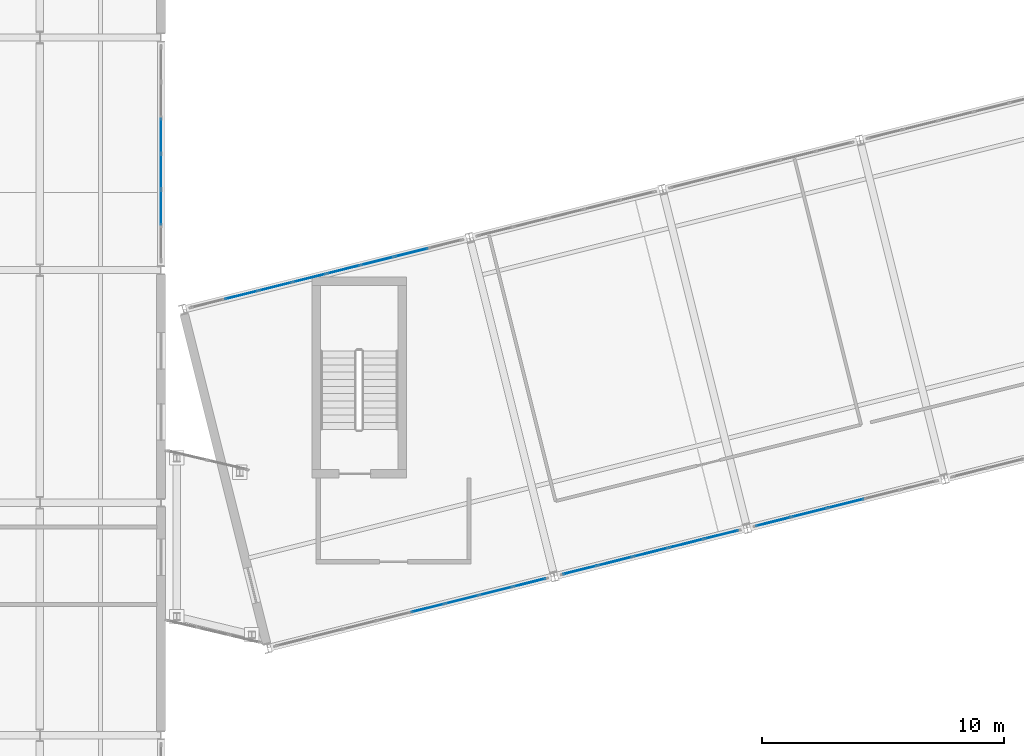
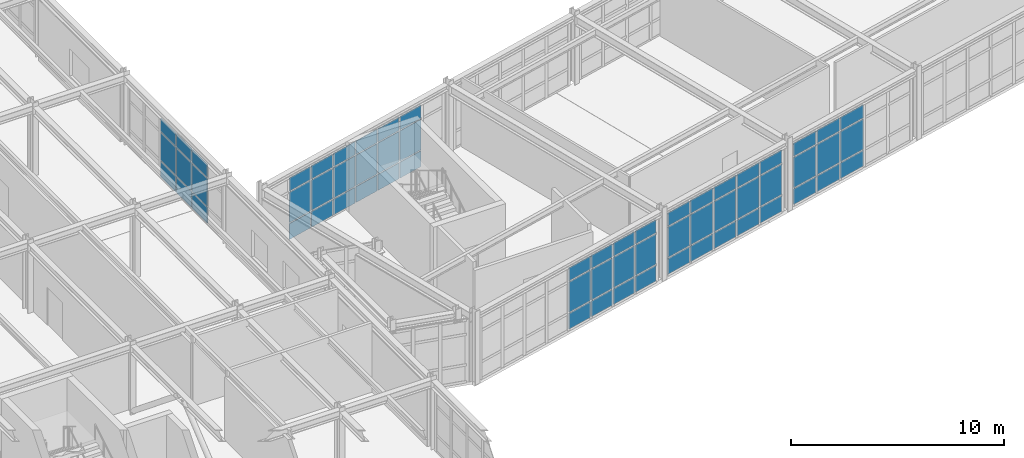
# One storey, part 46 of 76: 63 plates, 5 elements without a shape of their own.
"""IFC4 building model written with IfcOpenShell, lengths in metres."""

from ifc_helpers import new_model, si_unit, direction, frame, origin, origin_2d, place, context, subcontext, project, spatial, rectangle, extrude, material, layer, layer_set, type_object, element, aggregate, save


model = new_model("IFC4")

# Units and contexts
model_context = context("Model", 3, precision=1e-05, world=origin(), true_north=direction((0.0, 1.0)))
body_context = subcontext(model_context, "Body", "Model", "MODEL_VIEW")
ifc_project = project(units=[si_unit("LENGTHUNIT", "METRE"), si_unit("AREAUNIT", "SQUARE_METRE"), si_unit("VOLUMEUNIT", "CUBIC_METRE"), si_unit("PLANEANGLEUNIT", "RADIAN"), si_unit("MASSUNIT", "GRAM", prefix="KILO")], contexts=[model_context])

# Site, building, storey
site_placement = place(None, origin())
site = spatial("IfcSite", under=ifc_project, at=site_placement, CompositionType="ELEMENT")
building_placement = place(site_placement, origin())
building = spatial("IfcBuilding", under=site, at=building_placement, Name="Nordkorset Police Headquarters", CompositionType="ELEMENT")
storey_placement = place(building_placement, frame((0.0, 0.0, 13.64990234375)))
storey = spatial("IfcBuildingStorey", under=building, at=storey_placement, Name="L03", CompositionType="ELEMENT", Elevation=13.64990234375)

# Curtain wall, plates
ifc_material_1 = material(Name="Aluminium alloy AW-6060", Category="aluminium")
ifc_layer_1 = layer(ifc_material_1, 0.179931640625, Name="Aluminium alloy AW-6060")
ifc_layer_set_1 = layer_set([ifc_layer_1], Name="Aluminium alloy AW-6060")
curtain_wall_type_1 = type_object("IfcCurtainWallType", Name="CW_Unit_888x350", PredefinedType="USERDEFINED", material=ifc_layer_set_1)
curtain_wall_1_placement = place(storey_placement, origin())
curtain_wall_1 = element("IfcCurtainWall", 1, at=curtain_wall_1_placement, inside=storey, type_object=curtain_wall_type_1, Name="Unitised Curtain Wall L03 V3E-3", ObjectType="UNITISED CURTAIN WALL", PredefinedType="USERDEFINED")
ifc_material_2 = material(Name="Low-iron triple glazing", Category="glass")
ifc_layer_2 = layer(ifc_material_2, 0.035888671875, Name="Low-iron triple glazing")
ifc_layer_set_2 = layer_set([ifc_layer_2], Name="Low-iron triple glazing")
plate_type = type_object("IfcPlateType", Name="CW_Panel_TripleGlazing_36", PredefinedType="CURTAIN_PANEL", material=ifc_layer_set_2)
plate_1_placement = place(storey_placement, frame((19.199951171875, 60.179931640625, 0.06494140625), z_axis=(0.0, 0.0, 1.0), x_axis=(0.0, 1.0, 0.0)))
plate_1 = element("IfcPlate", 2, at=plate_1_placement, type_object=plate_type, Name="CW-95 panel 2.1", PredefinedType="CURTAIN_PANEL", context=body_context, shape_type="SweptSolid", body=[
    extrude(rectangle(XDim=1.4150390625, YDim=0.035888671875, at=origin_2d()), origin(), (0.0, 0.0, 1.0), 0.902587890625),
])
plate_2_placement = place(storey_placement, frame((19.199951171875, 60.179931640625, 1.03271484375), z_axis=(0.0, 0.0, 1.0), x_axis=(0.0, 1.0, 0.0)))
plate_2 = element("IfcPlate", 3, at=plate_2_placement, type_object=plate_type, Name="CW-95 panel 2.2", PredefinedType="CURTAIN_PANEL", context=body_context, shape_type="SweptSolid", body=[
    extrude(rectangle(XDim=1.4150390625, YDim=0.035888671875, at=origin_2d()), origin(), (0.0, 0.0, 1.0), 1.590087890625),
])
plate_3_placement = place(storey_placement, frame((19.199951171875, 60.179931640625, 2.687744140625), z_axis=(0.0, 0.0, 1.0), x_axis=(0.0, 1.0, 0.0)))
plate_3 = element("IfcPlate", 4, at=plate_3_placement, type_object=plate_type, Name="CW-95 panel 2.3", PredefinedType="CURTAIN_PANEL", context=body_context, shape_type="SweptSolid", body=[
    extrude(rectangle(XDim=1.4150390625, YDim=0.035888671875, at=origin_2d()), origin(), (0.0, 0.0, 1.0), 0.75244140625),
])
plate_4_placement = place(storey_placement, frame((19.199951171875, 61.659912109375, 0.06494140625), z_axis=(0.0, 0.0, 1.0), x_axis=(0.0, 1.0, 0.0)))
plate_4 = element("IfcPlate", 5, at=plate_4_placement, type_object=plate_type, Name="CW-95 panel 3.1", PredefinedType="CURTAIN_PANEL", context=body_context, shape_type="SweptSolid", body=[
    extrude(rectangle(XDim=1.4150390625, YDim=0.035888671875, at=origin_2d()), origin(), (0.0, 0.0, 1.0), 0.902587890625),
])
plate_5_placement = place(storey_placement, frame((19.199951171875, 61.659912109375, 1.03271484375), z_axis=(0.0, 0.0, 1.0), x_axis=(0.0, 1.0, 0.0)))
plate_5 = element("IfcPlate", 6, at=plate_5_placement, type_object=plate_type, Name="CW-95 panel 3.2", PredefinedType="CURTAIN_PANEL", context=body_context, shape_type="SweptSolid", body=[
    extrude(rectangle(XDim=1.4150390625, YDim=0.035888671875, at=origin_2d()), origin(), (0.0, 0.0, 1.0), 1.590087890625),
])
plate_6_placement = place(storey_placement, frame((19.199951171875, 61.659912109375, 2.687744140625), z_axis=(0.0, 0.0, 1.0), x_axis=(0.0, 1.0, 0.0)))
plate_6 = element("IfcPlate", 7, at=plate_6_placement, type_object=plate_type, Name="CW-95 panel 3.3", PredefinedType="CURTAIN_PANEL", context=body_context, shape_type="SweptSolid", body=[
    extrude(rectangle(XDim=1.4150390625, YDim=0.035888671875, at=origin_2d()), origin(), (0.0, 0.0, 1.0), 0.75244140625),
])
plate_7_placement = place(storey_placement, frame((19.199951171875, 63.139892578125, 0.06494140625), z_axis=(0.0, 0.0, 1.0), x_axis=(0.0, 1.0, 0.0)))
plate_7 = element("IfcPlate", 8, at=plate_7_placement, type_object=plate_type, Name="CW-95 panel 4.1", PredefinedType="CURTAIN_PANEL", context=body_context, shape_type="SweptSolid", body=[
    extrude(rectangle(XDim=1.4150390625, YDim=0.035888671875, at=origin_2d()), origin(), (0.0, 0.0, 1.0), 0.902587890625),
])
plate_8_placement = place(storey_placement, frame((19.199951171875, 63.139892578125, 1.03271484375), z_axis=(0.0, 0.0, 1.0), x_axis=(0.0, 1.0, 0.0)))
plate_8 = element("IfcPlate", 9, at=plate_8_placement, type_object=plate_type, Name="CW-95 panel 4.2", PredefinedType="CURTAIN_PANEL", context=body_context, shape_type="SweptSolid", body=[
    extrude(rectangle(XDim=1.4150390625, YDim=0.035888671875, at=origin_2d()), origin(), (0.0, 0.0, 1.0), 1.590087890625),
])
plate_9_placement = place(storey_placement, frame((19.199951171875, 63.139892578125, 2.687744140625), z_axis=(0.0, 0.0, 1.0), x_axis=(0.0, 1.0, 0.0)))
plate_9 = element("IfcPlate", 10, at=plate_9_placement, type_object=plate_type, Name="CW-95 panel 4.3", PredefinedType="CURTAIN_PANEL", context=body_context, shape_type="SweptSolid", body=[
    extrude(rectangle(XDim=1.4150390625, YDim=0.035888671875, at=origin_2d()), origin(), (0.0, 0.0, 1.0), 0.75244140625),
])
aggregate(curtain_wall_1, [plate_1, plate_2, plate_3, plate_4, plate_5, plate_6, plate_7, plate_8, plate_9])

ifc_material_3 = material(Name="Aluminium alloy AW-6060", Category="aluminium")
ifc_layer_3 = layer(ifc_material_3, 0.179931640625, Name="Aluminium alloy AW-6060")
ifc_layer_set_3 = layer_set([ifc_layer_3], Name="Aluminium alloy AW-6060")
curtain_wall_type_2 = type_object("IfcCurtainWallType", Name="CW_Unit_1156x365", PredefinedType="USERDEFINED", material=ifc_layer_set_3)
curtain_wall_2_placement = place(storey_placement, origin())
curtain_wall_2 = element("IfcCurtainWall", 11, at=curtain_wall_2_placement, inside=storey, type_object=curtain_wall_type_2, Name="Unitised Curtain Wall L03 V4S-0", ObjectType="UNITISED CURTAIN WALL", PredefinedType="USERDEFINED")
plate_10_placement = place(storey_placement, frame((30.21875, 43.65478515625, 0.06494140625), z_axis=(0.0, 0.0, 1.0), x_axis=(0.970142500145, 0.242535625038, 0.0)))
plate_10 = element("IfcPlate", 12, at=plate_10_placement, type_object=plate_type, Name="CW-38 panel 5.1", PredefinedType="CURTAIN_PANEL", context=body_context, shape_type="SweptSolid", body=[
    extrude(rectangle(XDim=1.3798828125, YDim=0.035888671875, at=origin_2d()), origin(), (0.0, 0.0, 1.0), 0.902587890625),
])
plate_11_placement = place(storey_placement, frame((30.21875, 43.65478515625, 1.03271484375), z_axis=(0.0, 0.0, 1.0), x_axis=(0.970142500145, 0.242535625038, 0.0)))
plate_11 = element("IfcPlate", 13, at=plate_11_placement, type_object=plate_type, Name="CW-38 panel 5.2", PredefinedType="CURTAIN_PANEL", context=body_context, shape_type="SweptSolid", body=[
    extrude(rectangle(XDim=1.3798828125, YDim=0.035888671875, at=origin_2d()), origin(), (0.0, 0.0, 1.0), 1.735107421875),
])
plate_12_placement = place(storey_placement, frame((30.21875, 43.65478515625, 2.83251953125), z_axis=(0.0, 0.0, 1.0), x_axis=(0.970142500145, 0.242535625038, 0.0)))
plate_12 = element("IfcPlate", 14, at=plate_12_placement, type_object=plate_type, Name="CW-38 panel 5.3", PredefinedType="CURTAIN_PANEL", context=body_context, shape_type="SweptSolid", body=[
    extrude(rectangle(XDim=1.3798828125, YDim=0.035888671875, at=origin_2d()), origin(), (0.0, 0.0, 1.0), 0.75244140625),
])
plate_13_placement = place(storey_placement, frame((31.62060546875, 44.005126953125, 0.06494140625), z_axis=(0.0, 0.0, 1.0), x_axis=(0.970142500145, 0.242535625038, 0.0)))
plate_13 = element("IfcPlate", 15, at=plate_13_placement, type_object=plate_type, Name="CW-38 panel 6.1", PredefinedType="CURTAIN_PANEL", context=body_context, shape_type="SweptSolid", body=[
    extrude(rectangle(XDim=1.3798828125, YDim=0.035888671875, at=origin_2d()), origin(), (0.0, 0.0, 1.0), 0.902587890625),
])
plate_14_placement = place(storey_placement, frame((31.62060546875, 44.005126953125, 1.03271484375), z_axis=(0.0, 0.0, 1.0), x_axis=(0.970142500145, 0.242535625038, 0.0)))
plate_14 = element("IfcPlate", 16, at=plate_14_placement, type_object=plate_type, Name="CW-38 panel 6.2", PredefinedType="CURTAIN_PANEL", context=body_context, shape_type="SweptSolid", body=[
    extrude(rectangle(XDim=1.3798828125, YDim=0.035888671875, at=origin_2d()), origin(), (0.0, 0.0, 1.0), 1.735107421875),
])
plate_15_placement = place(storey_placement, frame((31.62060546875, 44.005126953125, 2.83251953125), z_axis=(0.0, 0.0, 1.0), x_axis=(0.970142500145, 0.242535625038, 0.0)))
plate_15 = element("IfcPlate", 17, at=plate_15_placement, type_object=plate_type, Name="CW-38 panel 6.3", PredefinedType="CURTAIN_PANEL", context=body_context, shape_type="SweptSolid", body=[
    extrude(rectangle(XDim=1.3798828125, YDim=0.035888671875, at=origin_2d()), origin(), (0.0, 0.0, 1.0), 0.75244140625),
])
plate_16_placement = place(storey_placement, frame((33.0224609375, 44.355712890625, 0.06494140625), z_axis=(0.0, 0.0, 1.0), x_axis=(0.970142500145, 0.242535625038, 0.0)))
plate_16 = element("IfcPlate", 18, at=plate_16_placement, type_object=plate_type, Name="CW-38 panel 7.1", PredefinedType="CURTAIN_PANEL", context=body_context, shape_type="SweptSolid", body=[
    extrude(rectangle(XDim=1.3798828125, YDim=0.035888671875, at=origin_2d()), origin(), (0.0, 0.0, 1.0), 0.902587890625),
])
plate_17_placement = place(storey_placement, frame((33.0224609375, 44.355712890625, 1.03271484375), z_axis=(0.0, 0.0, 1.0), x_axis=(0.970142500145, 0.242535625038, 0.0)))
plate_17 = element("IfcPlate", 19, at=plate_17_placement, type_object=plate_type, Name="CW-38 panel 7.2", PredefinedType="CURTAIN_PANEL", context=body_context, shape_type="SweptSolid", body=[
    extrude(rectangle(XDim=1.3798828125, YDim=0.035888671875, at=origin_2d()), origin(), (0.0, 0.0, 1.0), 1.735107421875),
])
plate_18_placement = place(storey_placement, frame((33.0224609375, 44.355712890625, 2.83251953125), z_axis=(0.0, 0.0, 1.0), x_axis=(0.970142500145, 0.242535625038, 0.0)))
plate_18 = element("IfcPlate", 20, at=plate_18_placement, type_object=plate_type, Name="CW-38 panel 7.3", PredefinedType="CURTAIN_PANEL", context=body_context, shape_type="SweptSolid", body=[
    extrude(rectangle(XDim=1.3798828125, YDim=0.035888671875, at=origin_2d()), origin(), (0.0, 0.0, 1.0), 0.75244140625),
])
plate_19_placement = place(storey_placement, frame((34.40869140625, 44.7021484375, 0.06494140625), z_axis=(0.0, 0.0, 1.0), x_axis=(0.970142500145, 0.242535625038, 0.0)))
plate_19 = element("IfcPlate", 21, at=plate_19_placement, type_object=plate_type, Name="CW-38 panel 8.1", PredefinedType="CURTAIN_PANEL", context=body_context, shape_type="SweptSolid", body=[
    extrude(rectangle(XDim=1.347412109375, YDim=0.035888671875, at=origin_2d()), origin(), (0.0, 0.0, 1.0), 0.902587890625),
])
plate_20_placement = place(storey_placement, frame((34.40869140625, 44.7021484375, 1.03271484375), z_axis=(0.0, 0.0, 1.0), x_axis=(0.970142500145, 0.242535625038, 0.0)))
plate_20 = element("IfcPlate", 22, at=plate_20_placement, type_object=plate_type, Name="CW-38 panel 8.2", PredefinedType="CURTAIN_PANEL", context=body_context, shape_type="SweptSolid", body=[
    extrude(rectangle(XDim=1.347412109375, YDim=0.035888671875, at=origin_2d()), origin(), (0.0, 0.0, 1.0), 1.735107421875),
])
plate_21_placement = place(storey_placement, frame((34.40869140625, 44.7021484375, 2.83251953125), z_axis=(0.0, 0.0, 1.0), x_axis=(0.970142500145, 0.242535625038, 0.0)))
plate_21 = element("IfcPlate", 23, at=plate_21_placement, type_object=plate_type, Name="CW-38 panel 8.3", PredefinedType="CURTAIN_PANEL", context=body_context, shape_type="SweptSolid", body=[
    extrude(rectangle(XDim=1.347412109375, YDim=0.035888671875, at=origin_2d()), origin(), (0.0, 0.0, 1.0), 0.75244140625),
])
aggregate(curtain_wall_2, [plate_10, plate_11, plate_12, plate_13, plate_14, plate_15, plate_16, plate_17, plate_18, plate_19, plate_20, plate_21])

curtain_wall_3_placement = place(storey_placement, origin())
curtain_wall_3 = element("IfcCurtainWall", 24, at=curtain_wall_3_placement, inside=storey, type_object=curtain_wall_type_2, Name="Unitised Curtain Wall L03 V4N-0", ObjectType="UNITISED CURTAIN WALL", PredefinedType="USERDEFINED")
plate_22_placement = place(storey_placement, frame((22.520751953125, 56.5732421875, 0.06494140625), z_axis=(0.0, 0.0, 1.0), x_axis=(0.970142347489, 0.242536235663, 0.0)))
plate_22 = element("IfcPlate", 25, at=plate_22_placement, type_object=plate_type, Name="CW-38 panel 2.1", PredefinedType="CURTAIN_PANEL", context=body_context, shape_type="SweptSolid", body=[
    extrude(rectangle(XDim=1.3798828125, YDim=0.035888671875, at=origin_2d()), origin(), (0.0, 0.0, 1.0), 0.902587890625),
])
plate_23_placement = place(storey_placement, frame((22.520751953125, 56.5732421875, 1.03271484375), z_axis=(0.0, 0.0, 1.0), x_axis=(0.970142347489, 0.242536235663, 0.0)))
plate_23 = element("IfcPlate", 26, at=plate_23_placement, type_object=plate_type, Name="CW-38 panel 2.2", PredefinedType="CURTAIN_PANEL", context=body_context, shape_type="SweptSolid", body=[
    extrude(rectangle(XDim=1.3798828125, YDim=0.035888671875, at=origin_2d()), origin(), (0.0, 0.0, 1.0), 1.735107421875),
])
plate_24_placement = place(storey_placement, frame((22.520751953125, 56.5732421875, 2.83251953125), z_axis=(0.0, 0.0, 1.0), x_axis=(0.970142347489, 0.242536235663, 0.0)))
plate_24 = element("IfcPlate", 27, at=plate_24_placement, type_object=plate_type, Name="CW-38 panel 2.3", PredefinedType="CURTAIN_PANEL", context=body_context, shape_type="SweptSolid", body=[
    extrude(rectangle(XDim=1.3798828125, YDim=0.035888671875, at=origin_2d()), origin(), (0.0, 0.0, 1.0), 0.75244140625),
])
plate_25_placement = place(storey_placement, frame((23.922607421875, 56.923828125, 0.06494140625), z_axis=(0.0, 0.0, 1.0), x_axis=(0.970142347489, 0.242536235663, 0.0)))
plate_25 = element("IfcPlate", 28, at=plate_25_placement, type_object=plate_type, Name="CW-38 panel 3.1", PredefinedType="CURTAIN_PANEL", context=body_context, shape_type="SweptSolid", body=[
    extrude(rectangle(XDim=1.3798828125, YDim=0.035888671875, at=origin_2d()), origin(), (0.0, 0.0, 1.0), 0.902587890625),
])
plate_26_placement = place(storey_placement, frame((23.922607421875, 56.923828125, 1.03271484375), z_axis=(0.0, 0.0, 1.0), x_axis=(0.970142347489, 0.242536235663, 0.0)))
plate_26 = element("IfcPlate", 29, at=plate_26_placement, type_object=plate_type, Name="CW-38 panel 3.2", PredefinedType="CURTAIN_PANEL", context=body_context, shape_type="SweptSolid", body=[
    extrude(rectangle(XDim=1.3798828125, YDim=0.035888671875, at=origin_2d()), origin(), (0.0, 0.0, 1.0), 1.735107421875),
])
plate_27_placement = place(storey_placement, frame((23.922607421875, 56.923828125, 2.83251953125), z_axis=(0.0, 0.0, 1.0), x_axis=(0.970142347489, 0.242536235663, 0.0)))
plate_27 = element("IfcPlate", 30, at=plate_27_placement, type_object=plate_type, Name="CW-38 panel 3.3", PredefinedType="CURTAIN_PANEL", context=body_context, shape_type="SweptSolid", body=[
    extrude(rectangle(XDim=1.3798828125, YDim=0.035888671875, at=origin_2d()), origin(), (0.0, 0.0, 1.0), 0.75244140625),
])
plate_28_placement = place(storey_placement, frame((25.324462890625, 57.274169921875, 0.06494140625), z_axis=(0.0, 0.0, 1.0), x_axis=(0.970142347489, 0.242536235663, 0.0)))
plate_28 = element("IfcPlate", 31, at=plate_28_placement, type_object=plate_type, Name="CW-38 panel 4.1", PredefinedType="CURTAIN_PANEL", context=body_context, shape_type="SweptSolid", body=[
    extrude(rectangle(XDim=1.3798828125, YDim=0.035888671875, at=origin_2d()), origin(), (0.0, 0.0, 1.0), 0.902587890625),
])
plate_29_placement = place(storey_placement, frame((25.324462890625, 57.274169921875, 1.03271484375), z_axis=(0.0, 0.0, 1.0), x_axis=(0.970142347489, 0.242536235663, 0.0)))
plate_29 = element("IfcPlate", 32, at=plate_29_placement, type_object=plate_type, Name="CW-38 panel 4.2", PredefinedType="CURTAIN_PANEL", context=body_context, shape_type="SweptSolid", body=[
    extrude(rectangle(XDim=1.3798828125, YDim=0.035888671875, at=origin_2d()), origin(), (0.0, 0.0, 1.0), 1.735107421875),
])
plate_30_placement = place(storey_placement, frame((25.324462890625, 57.274169921875, 2.83251953125), z_axis=(0.0, 0.0, 1.0), x_axis=(0.970142347489, 0.242536235663, 0.0)))
plate_30 = element("IfcPlate", 33, at=plate_30_placement, type_object=plate_type, Name="CW-38 panel 4.3", PredefinedType="CURTAIN_PANEL", context=body_context, shape_type="SweptSolid", body=[
    extrude(rectangle(XDim=1.3798828125, YDim=0.035888671875, at=origin_2d()), origin(), (0.0, 0.0, 1.0), 0.75244140625),
])
plate_31_placement = place(storey_placement, frame((26.726318359375, 57.624755859375, 0.06494140625), z_axis=(0.0, 0.0, 1.0), x_axis=(0.970142347489, 0.242536235663, 0.0)))
plate_31 = element("IfcPlate", 34, at=plate_31_placement, type_object=plate_type, Name="CW-38 panel 5.1", PredefinedType="CURTAIN_PANEL", context=body_context, shape_type="SweptSolid", body=[
    extrude(rectangle(XDim=1.3798828125, YDim=0.035888671875, at=origin_2d()), origin(), (0.0, 0.0, 1.0), 0.902587890625),
])
plate_32_placement = place(storey_placement, frame((26.726318359375, 57.624755859375, 1.03271484375), z_axis=(0.0, 0.0, 1.0), x_axis=(0.970142347489, 0.242536235663, 0.0)))
plate_32 = element("IfcPlate", 35, at=plate_32_placement, type_object=plate_type, Name="CW-38 panel 5.2", PredefinedType="CURTAIN_PANEL", context=body_context, shape_type="SweptSolid", body=[
    extrude(rectangle(XDim=1.3798828125, YDim=0.035888671875, at=origin_2d()), origin(), (0.0, 0.0, 1.0), 1.735107421875),
])
plate_33_placement = place(storey_placement, frame((26.726318359375, 57.624755859375, 2.83251953125), z_axis=(0.0, 0.0, 1.0), x_axis=(0.970142347489, 0.242536235663, 0.0)))
plate_33 = element("IfcPlate", 36, at=plate_33_placement, type_object=plate_type, Name="CW-38 panel 5.3", PredefinedType="CURTAIN_PANEL", context=body_context, shape_type="SweptSolid", body=[
    extrude(rectangle(XDim=1.3798828125, YDim=0.035888671875, at=origin_2d()), origin(), (0.0, 0.0, 1.0), 0.75244140625),
])
plate_34_placement = place(storey_placement, frame((28.128173828125, 57.97509765625, 0.06494140625), z_axis=(0.0, 0.0, 1.0), x_axis=(0.970142347489, 0.242536235663, 0.0)))
plate_34 = element("IfcPlate", 37, at=plate_34_placement, type_object=plate_type, Name="CW-38 panel 6.1", PredefinedType="CURTAIN_PANEL", context=body_context, shape_type="SweptSolid", body=[
    extrude(rectangle(XDim=1.3798828125, YDim=0.035888671875, at=origin_2d()), origin(), (0.0, 0.0, 1.0), 0.902587890625),
])
plate_35_placement = place(storey_placement, frame((28.128173828125, 57.97509765625, 1.03271484375), z_axis=(0.0, 0.0, 1.0), x_axis=(0.970142347489, 0.242536235663, 0.0)))
plate_35 = element("IfcPlate", 38, at=plate_35_placement, type_object=plate_type, Name="CW-38 panel 6.2", PredefinedType="CURTAIN_PANEL", context=body_context, shape_type="SweptSolid", body=[
    extrude(rectangle(XDim=1.3798828125, YDim=0.035888671875, at=origin_2d()), origin(), (0.0, 0.0, 1.0), 1.735107421875),
])
plate_36_placement = place(storey_placement, frame((28.128173828125, 57.97509765625, 2.83251953125), z_axis=(0.0, 0.0, 1.0), x_axis=(0.970142347489, 0.242536235663, 0.0)))
plate_36 = element("IfcPlate", 39, at=plate_36_placement, type_object=plate_type, Name="CW-38 panel 6.3", PredefinedType="CURTAIN_PANEL", context=body_context, shape_type="SweptSolid", body=[
    extrude(rectangle(XDim=1.3798828125, YDim=0.035888671875, at=origin_2d()), origin(), (0.0, 0.0, 1.0), 0.75244140625),
])
plate_37_placement = place(storey_placement, frame((29.530029296875, 58.32568359375, 0.06494140625), z_axis=(0.0, 0.0, 1.0), x_axis=(0.970142347489, 0.242536235663, 0.0)))
plate_37 = element("IfcPlate", 40, at=plate_37_placement, type_object=plate_type, Name="CW-38 panel 7.1", PredefinedType="CURTAIN_PANEL", context=body_context, shape_type="SweptSolid", body=[
    extrude(rectangle(XDim=1.3798828125, YDim=0.035888671875, at=origin_2d()), origin(), (0.0, 0.0, 1.0), 0.902587890625),
])
plate_38_placement = place(storey_placement, frame((29.530029296875, 58.32568359375, 1.03271484375), z_axis=(0.0, 0.0, 1.0), x_axis=(0.970142347489, 0.242536235663, 0.0)))
plate_38 = element("IfcPlate", 41, at=plate_38_placement, type_object=plate_type, Name="CW-38 panel 7.2", PredefinedType="CURTAIN_PANEL", context=body_context, shape_type="SweptSolid", body=[
    extrude(rectangle(XDim=1.3798828125, YDim=0.035888671875, at=origin_2d()), origin(), (0.0, 0.0, 1.0), 1.735107421875),
])
plate_39_placement = place(storey_placement, frame((29.530029296875, 58.32568359375, 2.83251953125), z_axis=(0.0, 0.0, 1.0), x_axis=(0.970142347489, 0.242536235663, 0.0)))
plate_39 = element("IfcPlate", 42, at=plate_39_placement, type_object=plate_type, Name="CW-38 panel 7.3", PredefinedType="CURTAIN_PANEL", context=body_context, shape_type="SweptSolid", body=[
    extrude(rectangle(XDim=1.3798828125, YDim=0.035888671875, at=origin_2d()), origin(), (0.0, 0.0, 1.0), 0.75244140625),
])
aggregate(curtain_wall_3, [plate_22, plate_23, plate_24, plate_25, plate_26, plate_27, plate_28, plate_29, plate_30, plate_31, plate_32, plate_33, plate_34, plate_35, plate_36, plate_37, plate_38, plate_39])

ifc_material_4 = material(Name="Aluminium alloy AW-6060", Category="aluminium")
ifc_layer_4 = layer(ifc_material_4, 0.179931640625, Name="Aluminium alloy AW-6060")
ifc_layer_set_4 = layer_set([ifc_layer_4], Name="Aluminium alloy AW-6060")
curtain_wall_type_3 = type_object("IfcCurtainWallType", Name="CW_Unit_756x365", PredefinedType="USERDEFINED", material=ifc_layer_set_4)
curtain_wall_4_placement = place(storey_placement, origin())
curtain_wall_4 = element("IfcCurtainWall", 43, at=curtain_wall_4_placement, inside=storey, type_object=curtain_wall_type_3, Name="Unitised Curtain Wall L03 V4S-1", ObjectType="UNITISED CURTAIN WALL", PredefinedType="USERDEFINED")
plate_40_placement = place(storey_placement, frame((36.495361328125, 45.223876953125, 0.06494140625), z_axis=(0.0, 0.0, 1.0), x_axis=(0.970142500145, 0.242535625038, 0.0)))
plate_40 = element("IfcPlate", 44, at=plate_40_placement, type_object=plate_type, Name="CW-104 panel 1.1", PredefinedType="CURTAIN_PANEL", context=body_context, shape_type="SweptSolid", body=[
    extrude(rectangle(XDim=1.41455078125, YDim=0.035888671875, at=origin_2d()), origin(), (0.0, 0.0, 1.0), 0.902587890625),
])
plate_41_placement = place(storey_placement, frame((36.495361328125, 45.223876953125, 1.03271484375), z_axis=(0.0, 0.0, 1.0), x_axis=(0.970142500145, 0.242535625038, 0.0)))
plate_41 = element("IfcPlate", 45, at=plate_41_placement, type_object=plate_type, Name="CW-104 panel 1.2", PredefinedType="CURTAIN_PANEL", context=body_context, shape_type="SweptSolid", body=[
    extrude(rectangle(XDim=1.41455078125, YDim=0.035888671875, at=origin_2d()), origin(), (0.0, 0.0, 1.0), 1.735107421875),
])
plate_42_placement = place(storey_placement, frame((36.495361328125, 45.223876953125, 2.83251953125), z_axis=(0.0, 0.0, 1.0), x_axis=(0.970142500145, 0.242535625038, 0.0)))
plate_42 = element("IfcPlate", 46, at=plate_42_placement, type_object=plate_type, Name="CW-104 panel 1.3", PredefinedType="CURTAIN_PANEL", context=body_context, shape_type="SweptSolid", body=[
    extrude(rectangle(XDim=1.41455078125, YDim=0.035888671875, at=origin_2d()), origin(), (0.0, 0.0, 1.0), 0.75244140625),
])
plate_43_placement = place(storey_placement, frame((37.946533203125, 45.586669921875, 0.06494140625), z_axis=(0.0, 0.0, 1.0), x_axis=(0.970142500145, 0.242535625038, 0.0)))
plate_43 = element("IfcPlate", 47, at=plate_43_placement, type_object=plate_type, Name="CW-104 panel 2.1", PredefinedType="CURTAIN_PANEL", context=body_context, shape_type="SweptSolid", body=[
    extrude(rectangle(XDim=1.447021484375, YDim=0.035888671875, at=origin_2d()), origin(), (0.0, 0.0, 1.0), 0.902587890625),
])
plate_44_placement = place(storey_placement, frame((37.946533203125, 45.586669921875, 1.03271484375), z_axis=(0.0, 0.0, 1.0), x_axis=(0.970142500145, 0.242535625038, 0.0)))
plate_44 = element("IfcPlate", 48, at=plate_44_placement, type_object=plate_type, Name="CW-104 panel 2.2", PredefinedType="CURTAIN_PANEL", context=body_context, shape_type="SweptSolid", body=[
    extrude(rectangle(XDim=1.447021484375, YDim=0.035888671875, at=origin_2d()), origin(), (0.0, 0.0, 1.0), 1.735107421875),
])
plate_45_placement = place(storey_placement, frame((37.946533203125, 45.586669921875, 2.83251953125), z_axis=(0.0, 0.0, 1.0), x_axis=(0.970142500145, 0.242535625038, 0.0)))
plate_45 = element("IfcPlate", 49, at=plate_45_placement, type_object=plate_type, Name="CW-104 panel 2.3", PredefinedType="CURTAIN_PANEL", context=body_context, shape_type="SweptSolid", body=[
    extrude(rectangle(XDim=1.447021484375, YDim=0.035888671875, at=origin_2d()), origin(), (0.0, 0.0, 1.0), 0.75244140625),
])
plate_46_placement = place(storey_placement, frame((39.413330078125, 45.953369140625, 0.06494140625), z_axis=(0.0, 0.0, 1.0), x_axis=(0.970142500145, 0.242535625038, 0.0)))
plate_46 = element("IfcPlate", 50, at=plate_46_placement, type_object=plate_type, Name="CW-104 panel 3.1", PredefinedType="CURTAIN_PANEL", context=body_context, shape_type="SweptSolid", body=[
    extrude(rectangle(XDim=1.447021484375, YDim=0.035888671875, at=origin_2d()), origin(), (0.0, 0.0, 1.0), 0.902587890625),
])
plate_47_placement = place(storey_placement, frame((39.413330078125, 45.953369140625, 1.03271484375), z_axis=(0.0, 0.0, 1.0), x_axis=(0.970142500145, 0.242535625038, 0.0)))
plate_47 = element("IfcPlate", 51, at=plate_47_placement, type_object=plate_type, Name="CW-104 panel 3.2", PredefinedType="CURTAIN_PANEL", context=body_context, shape_type="SweptSolid", body=[
    extrude(rectangle(XDim=1.447021484375, YDim=0.035888671875, at=origin_2d()), origin(), (0.0, 0.0, 1.0), 1.735107421875),
])
plate_48_placement = place(storey_placement, frame((39.413330078125, 45.953369140625, 2.83251953125), z_axis=(0.0, 0.0, 1.0), x_axis=(0.970142500145, 0.242535625038, 0.0)))
plate_48 = element("IfcPlate", 52, at=plate_48_placement, type_object=plate_type, Name="CW-104 panel 3.3", PredefinedType="CURTAIN_PANEL", context=body_context, shape_type="SweptSolid", body=[
    extrude(rectangle(XDim=1.447021484375, YDim=0.035888671875, at=origin_2d()), origin(), (0.0, 0.0, 1.0), 0.75244140625),
])
plate_49_placement = place(storey_placement, frame((40.880126953125, 46.320068359375, 0.06494140625), z_axis=(0.0, 0.0, 1.0), x_axis=(0.970142500145, 0.242535625038, 0.0)))
plate_49 = element("IfcPlate", 53, at=plate_49_placement, type_object=plate_type, Name="CW-104 panel 4.1", PredefinedType="CURTAIN_PANEL", context=body_context, shape_type="SweptSolid", body=[
    extrude(rectangle(XDim=1.447021484375, YDim=0.035888671875, at=origin_2d()), origin(), (0.0, 0.0, 1.0), 0.902587890625),
])
plate_50_placement = place(storey_placement, frame((40.880126953125, 46.320068359375, 1.03271484375), z_axis=(0.0, 0.0, 1.0), x_axis=(0.970142500145, 0.242535625038, 0.0)))
plate_50 = element("IfcPlate", 54, at=plate_50_placement, type_object=plate_type, Name="CW-104 panel 4.2", PredefinedType="CURTAIN_PANEL", context=body_context, shape_type="SweptSolid", body=[
    extrude(rectangle(XDim=1.447021484375, YDim=0.035888671875, at=origin_2d()), origin(), (0.0, 0.0, 1.0), 1.735107421875),
])
plate_51_placement = place(storey_placement, frame((40.880126953125, 46.320068359375, 2.83251953125), z_axis=(0.0, 0.0, 1.0), x_axis=(0.970142500145, 0.242535625038, 0.0)))
plate_51 = element("IfcPlate", 55, at=plate_51_placement, type_object=plate_type, Name="CW-104 panel 4.3", PredefinedType="CURTAIN_PANEL", context=body_context, shape_type="SweptSolid", body=[
    extrude(rectangle(XDim=1.447021484375, YDim=0.035888671875, at=origin_2d()), origin(), (0.0, 0.0, 1.0), 0.75244140625),
])
plate_52_placement = place(storey_placement, frame((42.331298828125, 46.682861328125, 0.06494140625), z_axis=(0.0, 0.0, 1.0), x_axis=(0.970142500145, 0.242535625038, 0.0)))
plate_52 = element("IfcPlate", 56, at=plate_52_placement, type_object=plate_type, Name="CW-104 panel 5.1", PredefinedType="CURTAIN_PANEL", context=body_context, shape_type="SweptSolid", body=[
    extrude(rectangle(XDim=1.41455078125, YDim=0.035888671875, at=origin_2d()), origin(), (0.0, 0.0, 1.0), 0.902587890625),
])
plate_53_placement = place(storey_placement, frame((42.331298828125, 46.682861328125, 1.03271484375), z_axis=(0.0, 0.0, 1.0), x_axis=(0.970142500145, 0.242535625038, 0.0)))
plate_53 = element("IfcPlate", 57, at=plate_53_placement, type_object=plate_type, Name="CW-104 panel 5.2", PredefinedType="CURTAIN_PANEL", context=body_context, shape_type="SweptSolid", body=[
    extrude(rectangle(XDim=1.41455078125, YDim=0.035888671875, at=origin_2d()), origin(), (0.0, 0.0, 1.0), 1.735107421875),
])
plate_54_placement = place(storey_placement, frame((42.331298828125, 46.682861328125, 2.83251953125), z_axis=(0.0, 0.0, 1.0), x_axis=(0.970142500145, 0.242535625038, 0.0)))
plate_54 = element("IfcPlate", 58, at=plate_54_placement, type_object=plate_type, Name="CW-104 panel 5.3", PredefinedType="CURTAIN_PANEL", context=body_context, shape_type="SweptSolid", body=[
    extrude(rectangle(XDim=1.41455078125, YDim=0.035888671875, at=origin_2d()), origin(), (0.0, 0.0, 1.0), 0.75244140625),
])
aggregate(curtain_wall_4, [plate_40, plate_41, plate_42, plate_43, plate_44, plate_45, plate_46, plate_47, plate_48, plate_49, plate_50, plate_51, plate_52, plate_53, plate_54])

ifc_material_5 = material(Name="Aluminium alloy AW-6060", Category="aluminium")
ifc_layer_5 = layer(ifc_material_5, 0.179931640625, Name="Aluminium alloy AW-6060")
ifc_layer_set_5 = layer_set([ifc_layer_5], Name="Aluminium alloy AW-6060")
curtain_wall_type_4 = type_object("IfcCurtainWallType", Name="CW_Unit_776x365", PredefinedType="USERDEFINED", material=ifc_layer_set_5)
curtain_wall_5_placement = place(storey_placement, origin())
curtain_wall_5 = element("IfcCurtainWall", 59, at=curtain_wall_5_placement, inside=storey, type_object=curtain_wall_type_4, Name="Unitised Curtain Wall L03 V4S-2", ObjectType="UNITISED CURTAIN WALL", PredefinedType="USERDEFINED")
plate_55_placement = place(storey_placement, frame((44.469970703125, 47.217529296875, 0.06494140625), z_axis=(0.0, 0.0, 1.0), x_axis=(0.970142727556, 0.24253471539, 0.0)))
plate_55 = element("IfcPlate", 60, at=plate_55_placement, type_object=plate_type, Name="CW-42 panel 1.1", PredefinedType="CURTAIN_PANEL", context=body_context, shape_type="SweptSolid", body=[
    extrude(rectangle(XDim=1.45458984375, YDim=0.035888671875, at=origin_2d()), origin(), (0.0, 0.0, 1.0), 0.902587890625),
])
plate_56_placement = place(storey_placement, frame((44.469970703125, 47.217529296875, 1.03271484375), z_axis=(0.0, 0.0, 1.0), x_axis=(0.970142727556, 0.24253471539, 0.0)))
plate_56 = element("IfcPlate", 61, at=plate_56_placement, type_object=plate_type, Name="CW-42 panel 1.2", PredefinedType="CURTAIN_PANEL", context=body_context, shape_type="SweptSolid", body=[
    extrude(rectangle(XDim=1.45458984375, YDim=0.035888671875, at=origin_2d()), origin(), (0.0, 0.0, 1.0), 1.735107421875),
])
plate_57_placement = place(storey_placement, frame((44.469970703125, 47.217529296875, 2.83251953125), z_axis=(0.0, 0.0, 1.0), x_axis=(0.970142727556, 0.24253471539, 0.0)))
plate_57 = element("IfcPlate", 62, at=plate_57_placement, type_object=plate_type, Name="CW-42 panel 1.3", PredefinedType="CURTAIN_PANEL", context=body_context, shape_type="SweptSolid", body=[
    extrude(rectangle(XDim=1.45458984375, YDim=0.035888671875, at=origin_2d()), origin(), (0.0, 0.0, 1.0), 0.75244140625),
])
plate_58_placement = place(storey_placement, frame((45.9599609375, 47.58984375, 0.06494140625), z_axis=(0.0, 0.0, 1.0), x_axis=(0.970142727556, 0.24253471539, 0.0)))
plate_58 = element("IfcPlate", 63, at=plate_58_placement, type_object=plate_type, Name="CW-42 panel 2.1", PredefinedType="CURTAIN_PANEL", context=body_context, shape_type="SweptSolid", body=[
    extrude(rectangle(XDim=1.487060546875, YDim=0.035888671875, at=origin_2d()), origin(), (0.0, 0.0, 1.0), 0.902587890625),
])
plate_59_placement = place(storey_placement, frame((45.9599609375, 47.58984375, 1.03271484375), z_axis=(0.0, 0.0, 1.0), x_axis=(0.970142727556, 0.24253471539, 0.0)))
plate_59 = element("IfcPlate", 64, at=plate_59_placement, type_object=plate_type, Name="CW-42 panel 2.2", PredefinedType="CURTAIN_PANEL", context=body_context, shape_type="SweptSolid", body=[
    extrude(rectangle(XDim=1.487060546875, YDim=0.035888671875, at=origin_2d()), origin(), (0.0, 0.0, 1.0), 1.735107421875),
])
plate_60_placement = place(storey_placement, frame((45.9599609375, 47.58984375, 2.83251953125), z_axis=(0.0, 0.0, 1.0), x_axis=(0.970142727556, 0.24253471539, 0.0)))
plate_60 = element("IfcPlate", 65, at=plate_60_placement, type_object=plate_type, Name="CW-42 panel 2.3", PredefinedType="CURTAIN_PANEL", context=body_context, shape_type="SweptSolid", body=[
    extrude(rectangle(XDim=1.487060546875, YDim=0.035888671875, at=origin_2d()), origin(), (0.0, 0.0, 1.0), 0.75244140625),
])
plate_61_placement = place(storey_placement, frame((47.465576171875, 47.96630859375, 0.06494140625), z_axis=(0.0, 0.0, 1.0), x_axis=(0.970142727556, 0.24253471539, 0.0)))
plate_61 = element("IfcPlate", 66, at=plate_61_placement, type_object=plate_type, Name="CW-42 panel 3.1", PredefinedType="CURTAIN_PANEL", context=body_context, shape_type="SweptSolid", body=[
    extrude(rectangle(XDim=1.487060546875, YDim=0.035888671875, at=origin_2d()), origin(), (0.0, 0.0, 1.0), 0.902587890625),
])
plate_62_placement = place(storey_placement, frame((47.465576171875, 47.96630859375, 1.03271484375), z_axis=(0.0, 0.0, 1.0), x_axis=(0.970142727556, 0.24253471539, 0.0)))
plate_62 = element("IfcPlate", 67, at=plate_62_placement, type_object=plate_type, Name="CW-42 panel 3.2", PredefinedType="CURTAIN_PANEL", context=body_context, shape_type="SweptSolid", body=[
    extrude(rectangle(XDim=1.487060546875, YDim=0.035888671875, at=origin_2d()), origin(), (0.0, 0.0, 1.0), 1.735107421875),
])
plate_63_placement = place(storey_placement, frame((47.465576171875, 47.96630859375, 2.83251953125), z_axis=(0.0, 0.0, 1.0), x_axis=(0.970142727556, 0.24253471539, 0.0)))
plate_63 = element("IfcPlate", 68, at=plate_63_placement, type_object=plate_type, Name="CW-42 panel 3.3", PredefinedType="CURTAIN_PANEL", context=body_context, shape_type="SweptSolid", body=[
    extrude(rectangle(XDim=1.487060546875, YDim=0.035888671875, at=origin_2d()), origin(), (0.0, 0.0, 1.0), 0.75244140625),
])
aggregate(curtain_wall_5, [plate_55, plate_56, plate_57, plate_58, plate_59, plate_60, plate_61, plate_62, plate_63])

save(model, "model.ifc")
